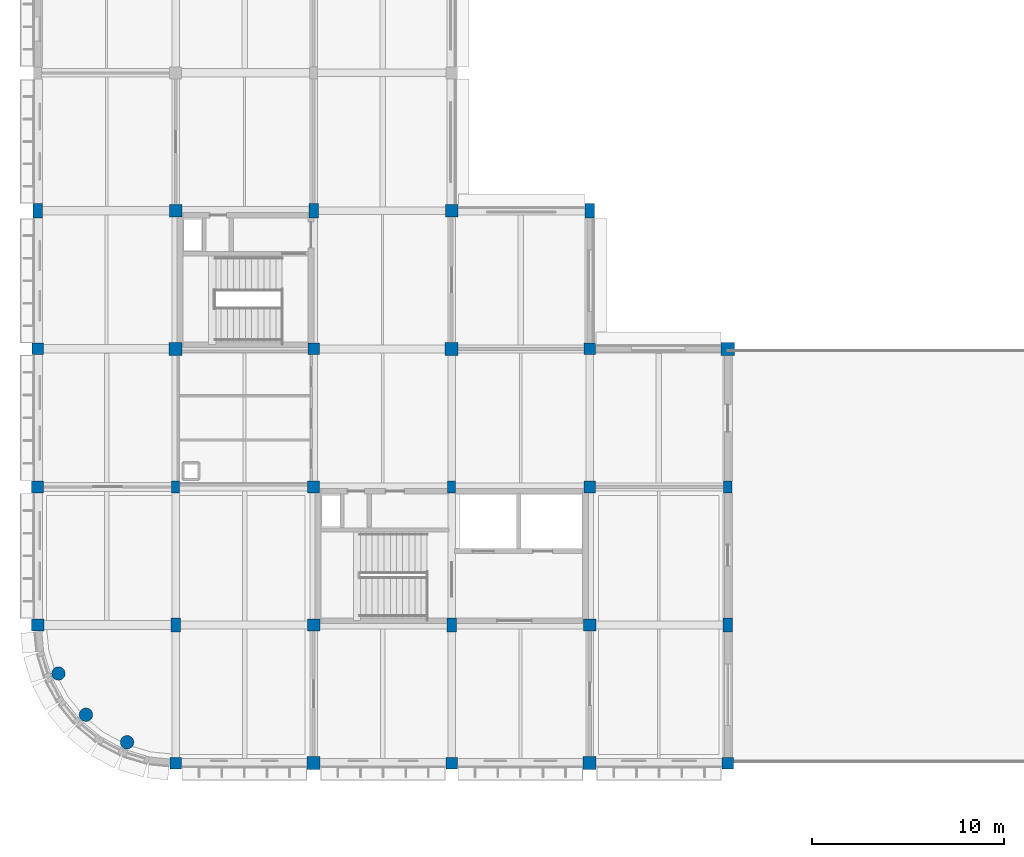
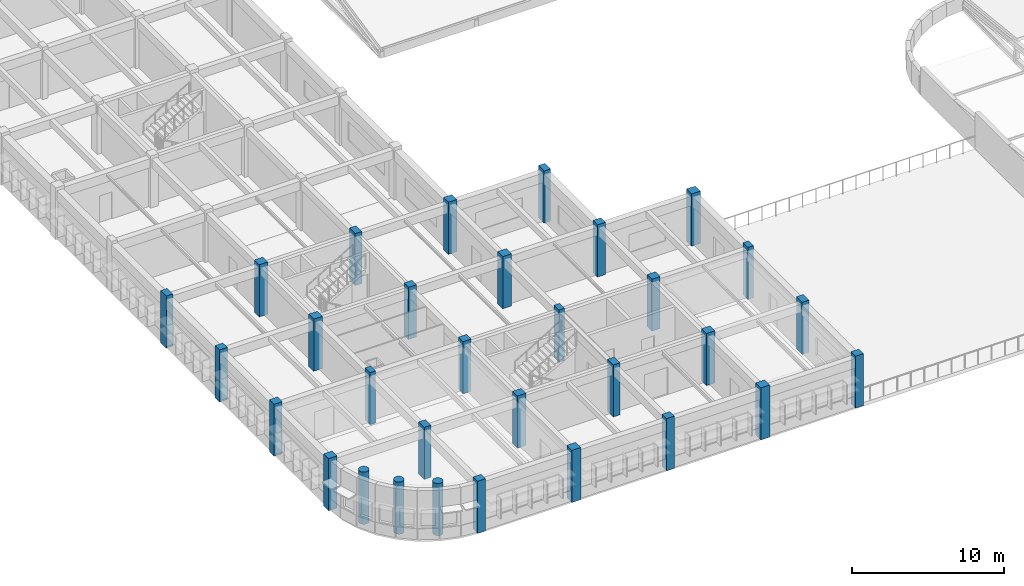
# One storey, part 1 of 103: 31 columns.
"""IFC4 building model written with IfcOpenShell, lengths in metres."""

from ifc_helpers import new_model, si_unit, direction, frame, origin, origin_2d, place, context, subcontext, project, spatial, rectangle, circle, extrude, material, material_profile, profile_set, type_object, element, save


model = new_model("IFC4")

# Units and contexts
model_context = context("Model", 3, precision=1e-05, world=origin(), true_north=direction((0.0, 1.0)))
body_context = subcontext(model_context, "Body", "Model", "MODEL_VIEW")
ifc_project = project(units=[si_unit("LENGTHUNIT", "METRE"), si_unit("AREAUNIT", "SQUARE_METRE"), si_unit("VOLUMEUNIT", "CUBIC_METRE"), si_unit("PLANEANGLEUNIT", "RADIAN"), si_unit("MASSUNIT", "GRAM", prefix="KILO")], contexts=[model_context])

# Site, building, storey
site_placement = place(None, origin())
site = spatial("IfcSite", under=ifc_project, at=site_placement, CompositionType="ELEMENT")
building_placement = place(site_placement, origin())
building = spatial("IfcBuilding", under=site, at=building_placement, Name="Thalmaran Polytechnic", CompositionType="ELEMENT")
storey_placement = place(building_placement, frame((0.0, 0.0, 14.39990234375)))
storey = spatial("IfcBuildingStorey", under=building, at=storey_placement, Name="L03", CompositionType="ELEMENT", Elevation=14.39990234375)

# Columns
ifc_material = material(Name="Concrete C40/50", Category="concrete")
ifc_material_profile_1 = material_profile(ifc_material, rectangle(XDim=0.64990234375, YDim=0.64990234375, at=origin_2d()), Name="RC 650x650")
ifc_profile_set_1 = profile_set([ifc_material_profile_1], Name="Concrete C40/50")
column_type_1 = type_object("IfcColumnType", Name="COL-C06", PredefinedType="COLUMN", material=ifc_profile_set_1)
for number, where, z_axis, x_axis, name in (
    (1, (0.0, 7.199951171875, 0.0), (0.0, 0.0, 1.0), (1.0, 0.0, 0.0), "Column C06 L03 (0,1)"),
    (2, (7.199951171875, 28.800048828125, 0.0), (0.0, 0.0, 1.0), (1.0, 0.0, 0.0), "Column C06 L03 (1,4)"),
    (3, (14.39990234375, 7.199951171875, 0.0), (0.0, 0.0, 1.0), (1.0, 0.0, 0.0), "Column C06 L03 (2,1)"),
    (4, (21.60009765625, 28.800048828125, 0.0), (0.0, 0.0, 1.0), (1.0, 0.0, 0.0), "Column C06 L03 (3,4)"),
    (5, (28.800048828125, 7.199951171875, 0.0), (0.0, 0.0, 1.0), (1.0, 0.0, 0.0), "Column C06 L03 (4,1)"),
):
    element("IfcColumn", number, at=place(storey_placement, frame(where, z_axis=z_axis, x_axis=x_axis)), inside=storey, type_object=column_type_1, Name=name, PredefinedType="COLUMN", context=body_context, shape_type="SweptSolid", body=[
        extrude(rectangle(XDim=0.64990234375, YDim=0.64990234375, at=origin_2d()), origin(), (0.0, 0.0, 1.0), 4.2001953125),
    ])
ifc_material_profile_2 = material_profile(ifc_material, rectangle(XDim=0.60009765625, YDim=0.60009765625, at=origin_2d()), Name="RC 600x600")
ifc_profile_set_2 = profile_set([ifc_material_profile_2], Name="Concrete C40/50")
column_type_2 = type_object("IfcColumnType", Name="COL-C07", PredefinedType="COLUMN", material=ifc_profile_set_2)
for number, where, z_axis, x_axis, name in (
    (6, (0.0, 21.60009765625, 0.0), (0.0, 0.0, 1.0), (1.0, 0.0, 0.0), "Column C07 L03 (0,3)"),
    (7, (7.199951171875, 0.0, 0.0), (0.0, 0.0, 1.0), (1.0, 0.0, 0.0), "Column C07 L03 (1,0)"),
    (8, (14.39990234375, 21.60009765625, 0.0), (0.0, 0.0, 1.0), (1.0, 0.0, 0.0), "Column C07 L03 (2,3)"),
    (9, (21.60009765625, 0.0, 0.0), (0.0, 0.0, 1.0), (1.0, 0.0, 0.0), "Column C07 L03 (3,0)"),
    (10, (28.800048828125, 21.60009765625, 0.0), (0.0, 0.0, 1.0), (1.0, 0.0, 0.0), "Column C07 L03 (4,3)"),
    (11, (36.0, 0.0, 0.0), (0.0, 0.0, 1.0), (1.0, 0.0, 0.0), "Column C07 L03 (5,0)"),
):
    element("IfcColumn", number, at=place(storey_placement, frame(where, z_axis=z_axis, x_axis=x_axis)), inside=storey, type_object=column_type_2, Name=name, PredefinedType="COLUMN", context=body_context, shape_type="SweptSolid", body=[
        extrude(rectangle(XDim=0.60009765625, YDim=0.60009765625, at=origin_2d()), origin(), (0.0, 0.0, 1.0), 4.2001953125),
    ])
ifc_material_profile_3 = material_profile(ifc_material, rectangle(XDim=0.5, YDim=0.75, at=origin_2d()), Name="RC 500x750")
ifc_profile_set_3 = profile_set([ifc_material_profile_3], Name="Concrete C40/50")
column_type_3 = type_object("IfcColumnType", Name="COL-C13", PredefinedType="COLUMN", material=ifc_profile_set_3)
for number, where, z_axis, x_axis, name in (
    (12, (0.0, 28.800048828125, 0.0), (0.0, 0.0, 1.0), (1.0, 0.0, 0.0), "Column C13 L03 (0,4)"),
    (13, (7.199951171875, 7.199951171875, 0.0), (0.0, 0.0, 1.0), (1.0, 0.0, 0.0), "Column C13 L03 (1,1)"),
    (14, (14.39990234375, 28.800048828125, 0.0), (0.0, 0.0, 1.0), (1.0, 0.0, 0.0), "Column C13 L03 (2,4)"),
    (15, (21.60009765625, 7.199951171875, 0.0), (0.0, 0.0, 1.0), (1.0, 0.0, 0.0), "Column C13 L03 (3,1)"),
    (16, (28.800048828125, 28.800048828125, 0.0), (0.0, 0.0, 1.0), (1.0, 0.0, 0.0), "Column C13 L03 (4,4)"),
    (17, (36.0, 7.199951171875, 0.0), (0.0, 0.0, 1.0), (1.0, 0.0, 0.0), "Column C13 L03 (5,1)"),
):
    element("IfcColumn", number, at=place(storey_placement, frame(where, z_axis=z_axis, x_axis=x_axis)), inside=storey, type_object=column_type_3, Name=name, PredefinedType="COLUMN", context=body_context, shape_type="SweptSolid", body=[
        extrude(rectangle(XDim=0.5, YDim=0.75, at=origin_2d()), origin(), (0.0, 0.0, 1.0), 4.2001953125),
    ])
ifc_material_profile_4 = material_profile(ifc_material, circle(Radius=0.35009765625, at=origin_2d()), Name="RC 700 DIA")
ifc_profile_set_4 = profile_set([ifc_material_profile_4], Name="Concrete C40/50")
column_type_4 = type_object("IfcColumnType", Name="COL-C15", PredefinedType="COLUMN", material=ifc_profile_set_4)
for number, where, z_axis, x_axis, name in (
    (18, (1.083984375, 4.666748046875, 0.0), (0.0, 0.0, 1.0), (1.0, 0.0, 0.0), "Prow Column SWP1 L03"),
    (19, (2.51904296875, 2.51904296875, 0.0), (0.0, 0.0, 1.0), (1.0, 0.0, 0.0), "Prow Column SWP2 L03"),
    (20, (4.666748046875, 1.083984375, 0.0), (0.0, 0.0, 1.0), (1.0, 0.0, 0.0), "Prow Column SWP3 L03"),
):
    element("IfcColumn", number, at=place(storey_placement, frame(where, z_axis=z_axis, x_axis=x_axis)), inside=storey, type_object=column_type_4, Name=name, PredefinedType="COLUMN", context=body_context, shape_type="SweptSolid", body=[
        extrude(circle(Radius=0.35009765625, at=origin_2d()), origin(), (0.0, 0.0, 1.0), 4.2001953125),
    ])
ifc_material_profile_5 = material_profile(ifc_material, rectangle(XDim=0.679931640625, YDim=0.679931640625, at=origin_2d()), Name="RC 680x680")
ifc_profile_set_5 = profile_set([ifc_material_profile_5], Name="Concrete C40/50")
column_type_5 = type_object("IfcColumnType", Name="COL-ZC05", PredefinedType="COLUMN", material=ifc_profile_set_5)
for number, where, z_axis, x_axis, name in (
    (21, (7.199951171875, 21.60009765625, 0.0), (0.0, 0.0, 1.0), (1.0, 0.0, 0.0), "Column ZC05 L03 (1,3)"),
    (22, (14.39990234375, 0.0, 0.0), (0.0, 0.0, 1.0), (1.0, 0.0, 0.0), "Column ZC05 L03 (2,0)"),
    (23, (21.60009765625, 21.60009765625, 0.0), (0.0, 0.0, 1.0), (1.0, 0.0, 0.0), "Column ZC05 L03 (3,3)"),
    (24, (28.800048828125, 0.0, 0.0), (0.0, 0.0, 1.0), (1.0, 0.0, 0.0), "Column ZC05 L03 (4,0)"),
    (25, (36.0, 21.60009765625, 0.0), (0.0, 0.0, 1.0), (1.0, 0.0, 0.0), "Column ZC05 L03 (5,3)"),
):
    element("IfcColumn", number, at=place(storey_placement, frame(where, z_axis=z_axis, x_axis=x_axis)), inside=storey, type_object=column_type_5, Name=name, PredefinedType="COLUMN", context=body_context, shape_type="SweptSolid", body=[
        extrude(rectangle(XDim=0.679931640625, YDim=0.679931640625, at=origin_2d()), origin(), (0.0, 0.0, 1.0), 4.2001953125),
    ])
ifc_material_profile_6 = material_profile(ifc_material, rectangle(XDim=0.6201171875, YDim=0.6201171875, at=origin_2d()), Name="RC 620x620")
ifc_profile_set_6 = profile_set([ifc_material_profile_6], Name="Concrete C40/50")
column_type_6 = type_object("IfcColumnType", Name="COL-ZC06", PredefinedType="COLUMN", material=ifc_profile_set_6)
for number, where, z_axis, x_axis, name in (
    (26, (0.0, 14.39990234375, 0.0), (0.0, 0.0, 1.0), (1.0, 0.0, 0.0), "Column ZC06 L03 (0,2)"),
    (27, (14.39990234375, 14.39990234375, 0.0), (0.0, 0.0, 1.0), (1.0, 0.0, 0.0), "Column ZC06 L03 (2,2)"),
    (28, (28.800048828125, 14.39990234375, 0.0), (0.0, 0.0, 1.0), (1.0, 0.0, 0.0), "Column ZC06 L03 (4,2)"),
):
    element("IfcColumn", number, at=place(storey_placement, frame(where, z_axis=z_axis, x_axis=x_axis)), inside=storey, type_object=column_type_6, Name=name, PredefinedType="COLUMN", context=body_context, shape_type="SweptSolid", body=[
        extrude(rectangle(XDim=0.6201171875, YDim=0.6201171875, at=origin_2d()), origin(), (0.0, 0.0, 1.0), 4.2001953125),
    ])
ifc_material_profile_7 = material_profile(ifc_material, rectangle(XDim=0.419921875, YDim=0.639892578125, at=origin_2d()), Name="RC 420x640")
ifc_profile_set_7 = profile_set([ifc_material_profile_7], Name="Concrete C40/50")
column_type_7 = type_object("IfcColumnType", Name="COL-ZC10", PredefinedType="PILASTER", material=ifc_profile_set_7)
for number, where, z_axis, x_axis, name in (
    (29, (7.199951171875, 14.39990234375, 0.0), (0.0, 0.0, 1.0), (1.0, 0.0, 0.0), "Column ZPL1 L03 (1,2)"),
    (30, (21.60009765625, 14.39990234375, 0.0), (0.0, 0.0, 1.0), (1.0, 0.0, 0.0), "Column ZPL1 L03 (3,2)"),
    (31, (36.0, 14.39990234375, 0.0), (0.0, 0.0, 1.0), (1.0, 0.0, 0.0), "Column ZPL1 L03 (5,2)"),
):
    element("IfcColumn", number, at=place(storey_placement, frame(where, z_axis=z_axis, x_axis=x_axis)), inside=storey, type_object=column_type_7, Name=name, PredefinedType="PILASTER", context=body_context, shape_type="SweptSolid", body=[
        extrude(rectangle(XDim=0.419921875, YDim=0.639892578125, at=origin_2d()), origin(), (0.0, 0.0, 1.0), 4.2001953125),
    ])

save(model, "model.ifc")
